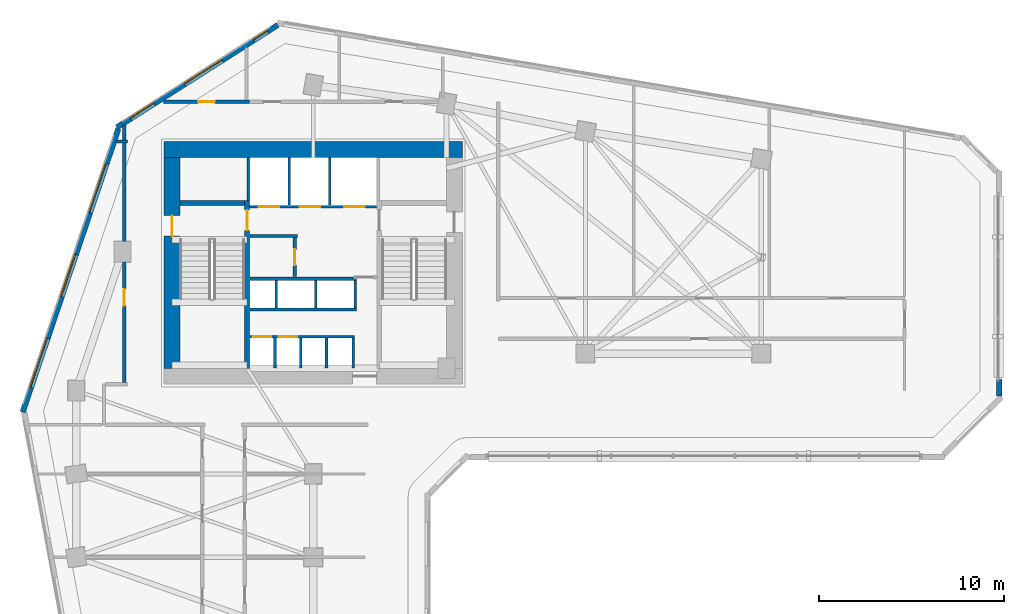
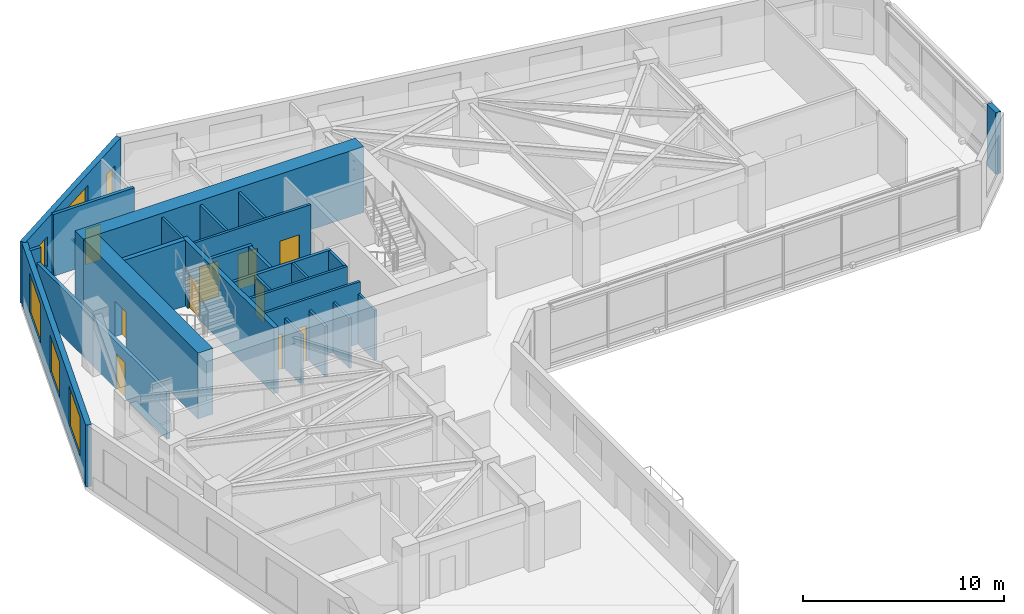
# One storey, part 7 of 12: 26 walls, 10 doors, 6 windows, 16 openings.
"""IFC4 building model written with IfcOpenShell, lengths in metres."""

from ifc_helpers import new_model, si_unit, direction, frame, frame_2d, origin, place, context, subcontext, project, spatial, rectangle, extrude, source, transform, mapped, material, layer, layer_set, type_object, element, fill, save


model = new_model("IFC4")

# Units and contexts
model_context = context("Model", 3, precision=1e-05, world=origin(), true_north=direction((0.0, 1.0)))
body_context = subcontext(model_context, "Body", "Model", "MODEL_VIEW")
ifc_project = project(units=[si_unit("LENGTHUNIT", "METRE"), si_unit("AREAUNIT", "SQUARE_METRE"), si_unit("VOLUMEUNIT", "CUBIC_METRE"), si_unit("PLANEANGLEUNIT", "RADIAN"), si_unit("MASSUNIT", "GRAM", prefix="KILO")], contexts=[model_context])

# Site, building, storey
site_placement = place(None, origin())
site = spatial("IfcSite", under=ifc_project, at=site_placement, CompositionType="ELEMENT")
building_placement = place(site_placement, origin())
building = spatial("IfcBuilding", under=site, at=building_placement, Name="Calvemar Wedge Station Tower", CompositionType="ELEMENT")
storey_placement = place(building_placement, frame((0.0, 0.0, 51.0)))
storey = spatial("IfcBuildingStorey", under=building, at=storey_placement, Name="L12", CompositionType="ELEMENT", Elevation=51.0)

# Wall, opening, door
ifc_material_1 = material(Name="Concrete C50", Category="concrete")
ifc_layer_1 = layer(ifc_material_1, 0.260009765625)
ifc_layer_set_1 = layer_set([ifc_layer_1], Name="Concrete C50")
wall_type_1 = type_object("IfcWallType", Name="SW-CORE-260", PredefinedType="SHEAR", material=ifc_layer_set_1)
wall_1_placement = place(storey_placement, frame((20.22998046875, 34.199951171875, 0.0), z_axis=(0.0, 0.0, 1.0), x_axis=(0.0, 1.0, 0.0)))
wall_1 = element("IfcWall", 1, at=wall_1_placement, inside=storey, type_object=wall_type_1, Name="Storey L12 Core Shear Wall SPINE-W", PredefinedType="SHEAR", context=body_context, shape_type="SweptSolid", body=[
    extrude(rectangle(XDim=9.06005859375, YDim=0.260009765625, at=frame_2d((4.530029296875, 0.0))), origin(), (0.0, 0.0, 1.0), 4.0),
])
shared_shape_1 = source(origin(), body_context, "Body", "SweptSolid", [
    extrude(rectangle(XDim=1.10009765625, YDim=2.14990234375, at=frame_2d((0.550048828125, 1.074951171875))), frame((0.0, 0.14013671875, 0.0), z_axis=(0.0, -1.0, 0.0), x_axis=(1.0, 0.0, 0.0)), (0.0, 0.0, 1.0), 0.280029296875),
])
opening_1_placement = place(wall_1_placement, frame((7.449951171875, 0.0, 0.0)))
opening_1 = element("IfcOpeningElement", 2, at=opening_1_placement, cuts=wall_1, Name="Opening FD-90", PredefinedType="OPENING", context=body_context, shape_type="MappedRepresentation", body=[
    mapped(shared_shape_1, transform((0.0, 0.0, 0.0), scale=1.0)),
])
ifc_material_2 = material(Name="Galvanized fire-rated steel door leaf P-90", Category="steel")
door_type_1 = type_object("IfcDoorType", Name="DR-FD90-1100", OperationType="NOTDEFINED", PredefinedType="DOOR", material=ifc_material_2)
shared_shape_2 = source(origin(), body_context, "Body", "SweptSolid", [
    extrude(rectangle(XDim=1.10009765625, YDim=2.14990234375, at=frame_2d((0.550048828125, 1.074951171875))), frame((0.0, 0.02490234375, 0.0), z_axis=(0.0, -1.0, 0.0), x_axis=(1.0, 0.0, 0.0)), (0.0, 0.0, 1.0), 0.050048828125),
])
door_1_placement = place(opening_1_placement, origin())
door_1 = element("IfcDoor", 3, at=door_1_placement, inside=storey, type_object=door_type_1, Name="L12 FF Lobby to Stair ST-C1 Door", OperationType="SINGLE_SWING_LEFT", OverallHeight=2.14990234375, OverallWidth=1.10009765625, PredefinedType="DOOR", context=body_context, shape_type="MappedRepresentation", body=[
    mapped(shared_shape_2, transform((0.0, 0.0, 0.0), scale=1.0)),
])
fill(opening_1, door_1)

# Walls
wall_2_placement = place(storey_placement, frame((16.60009765625, 43.1298828125, 0.0), z_axis=(0.0, 0.0, 1.0), x_axis=(1.0, 0.0, 0.0)))
element("IfcWall", 4, at=wall_2_placement, inside=storey, type_object=wall_type_1, Name="Storey L12 Core Shear Wall STC1-N", PredefinedType="SHEAR", context=body_context, shape_type="SweptSolid", body=[
    extrude(rectangle(XDim=3.5, YDim=0.260009765625, at=frame_2d((1.75, 0.0))), origin(), (0.0, 0.0, 1.0), 4.0),
])
ifc_material_3 = material(Name="Concrete C80", Category="concrete")
ifc_layer_2 = layer(ifc_material_3, 0.85009765625)
ifc_layer_set_2 = layer_set([ifc_layer_2], Name="Concrete C80")
wall_type_2 = type_object("IfcWallType", Name="SW-CORE-850", PredefinedType="SHEAR", material=ifc_layer_set_2)
wall_3_placement = place(storey_placement, frame((15.75, 46.02490234375, 0.0), z_axis=(0.0, 0.0, 1.0), x_axis=(1.0, 0.0, 0.0)))
element("IfcWall", 5, at=wall_3_placement, inside=storey, type_object=wall_type_2, Name="Storey L12 Core Shear Wall N", PredefinedType="SHEAR", context=body_context, shape_type="SweptSolid", body=[
    extrude(rectangle(XDim=16.10009765625, YDim=0.85009765625, at=frame_2d((8.050048828125, 0.0))), origin(), (0.0, 0.0, 1.0), 4.0),
])

# Wall, opening, door
wall_4_placement = place(storey_placement, frame((16.175048828125, 34.199951171875, 0.0), z_axis=(0.0, 0.0, 1.0), x_axis=(0.0, 1.0, 0.0)))
wall_4 = element("IfcWall", 6, at=wall_4_placement, inside=storey, type_object=wall_type_2, Name="Storey L12 Core Shear Wall W", PredefinedType="SHEAR", context=body_context, shape_type="SweptSolid", body=[
    extrude(rectangle(XDim=11.400146484375, YDim=0.85009765625, at=frame_2d((5.7001953125, 0.0))), origin(), (0.0, 0.0, 1.0), 4.0),
])
shared_shape_3 = source(origin(), body_context, "Body", "SweptSolid", [
    extrude(rectangle(XDim=1.10009765625, YDim=2.14990234375, at=frame_2d((0.550048828125, 1.074951171875))), frame((0.0, 0.43505859375, 0.0), z_axis=(0.0, -1.0, 0.0), x_axis=(1.0, 0.0, 0.0)), (0.0, 0.0, 1.0), 0.8701171875),
])
opening_2_placement = place(wall_4_placement, frame((7.14990234375, 0.0, 0.0)))
opening_2 = element("IfcOpeningElement", 7, at=opening_2_placement, cuts=wall_4, Name="Opening FD-90", PredefinedType="OPENING", context=body_context, shape_type="MappedRepresentation", body=[
    mapped(shared_shape_3, transform((0.0, 0.0, 0.0), scale=1.0)),
])
door_2_placement = place(opening_2_placement, origin())
door_2 = element("IfcDoor", 8, at=door_2_placement, inside=storey, type_object=door_type_1, Name="L12 West Corridor to Exit Stair ST-C1 Door", OperationType="SINGLE_SWING_LEFT", OverallHeight=2.14990234375, OverallWidth=1.10009765625, PredefinedType="DOOR", context=body_context, shape_type="MappedRepresentation", body=[
    mapped(shared_shape_2, transform((0.0, 0.0, 0.0), scale=1.0)),
])
fill(opening_2, door_2)

# Wall
ifc_material_4 = material(Name="Double-stud fire-rated corridor partition")
ifc_layer_3 = layer(ifc_material_4, 0.179931640625)
ifc_layer_set_3 = layer_set([ifc_layer_3], Name="Double-stud fire-rated corridor partition")
wall_type_3 = type_object("IfcWallType", Name="W-CORR-180", PredefinedType="PARTITIONING", material=ifc_layer_set_3)
wall_5_placement = place(storey_placement, frame((22.9599609375, 41.35009765625, 0.0), z_axis=(0.0, 0.0, 1.0), x_axis=(-1.0, 0.0, 0.0)))
element("IfcWall", 9, at=wall_5_placement, inside=storey, type_object=wall_type_3, Name="Storey L12 Interior Partition WL-L12-001", PredefinedType="PARTITIONING", context=body_context, shape_type="SweptSolid", body=[
    extrude(rectangle(XDim=2.580078125, YDim=0.179931640625, at=frame_2d((1.2900390625, 0.0))), origin(), (0.0, 0.0, 1.0), 3.75),
])

# Wall, opening, door
wall_6_placement = place(storey_placement, frame((22.800048828125, 41.256103515625, 0.0), z_axis=(0.0, 0.0, 1.0), x_axis=(0.0, -1.0, 0.0)))
wall_6 = element("IfcWall", 10, at=wall_6_placement, inside=storey, type_object=wall_type_3, Name="Storey L12 Interior Partition WL-L12-002", PredefinedType="PARTITIONING", context=body_context, shape_type="SweptSolid", body=[
    extrude(rectangle(XDim=2.106201171875, YDim=0.179931640625, at=frame_2d((1.05322265625, 0.0))), origin(), (0.0, 0.0, 1.0), 3.75),
])
shared_shape_4 = source(origin(), body_context, "Body", "SweptSolid", [
    extrude(rectangle(XDim=0.85009765625, YDim=2.14990234375, at=frame_2d((0.425048828125, 1.074951171875))), frame((0.0, 0.10009765625, 0.0), z_axis=(0.0, -1.0, 0.0), x_axis=(1.0, 0.0, 0.0)), (0.0, 0.0, 1.0), 0.199951171875),
])
opening_3_placement = place(wall_6_placement, frame((0.6279296875, 0.0, 0.0)))
opening_3 = element("IfcOpeningElement", 11, at=opening_3_placement, cuts=wall_6, Name="Opening FD-60S", PredefinedType="OPENING", context=body_context, shape_type="MappedRepresentation", body=[
    mapped(shared_shape_4, transform((0.0, 0.0, 0.0), scale=1.0)),
])
ifc_material_5 = material(Name="Fire-rated steel and hardwood service door EI 60", Category="steel")
door_type_2 = type_object("IfcDoorType", Name="DR-CORE-FD60-850", OperationType="NOTDEFINED", PredefinedType="DOOR", material=ifc_material_5)
shared_shape_5 = source(origin(), body_context, "Body", "SweptSolid", [
    extrude(rectangle(XDim=0.85009765625, YDim=2.14990234375, at=frame_2d((0.425048828125, 1.074951171875))), frame((0.0, 0.02490234375, 0.0), z_axis=(0.0, -1.0, 0.0), x_axis=(1.0, 0.0, 0.0)), (0.0, 0.0, 1.0), 0.050048828125),
])
door_3_placement = place(opening_3_placement, origin())
door_3 = element("IfcDoor", 12, at=door_3_placement, inside=storey, type_object=door_type_2, Name="L12 Core Electrical Switch Room Door", OperationType="SINGLE_SWING_LEFT", OverallHeight=2.14990234375, OverallWidth=0.85009765625, PredefinedType="DOOR", context=body_context, shape_type="MappedRepresentation", body=[
    mapped(shared_shape_5, transform((0.0, 0.0, 0.0), scale=1.0)),
])
fill(opening_3, door_3)

wall_7_placement = place(storey_placement, frame((13.60009765625, 33.444091796875, 0.0), z_axis=(0.0, 0.0, 1.0), x_axis=(0.0, 1.0, 0.0)))
wall_7 = element("IfcWall", 13, at=wall_7_placement, inside=storey, type_object=wall_type_3, Name="Storey L12 Interior Partition WL-L12-008", PredefinedType="PARTITIONING", context=body_context, shape_type="SweptSolid", body=[
    extrude(rectangle(XDim=13.896240234375, YDim=0.179931640625, at=frame_2d((6.9482421875, 0.0))), origin(), (0.0, 0.0, 1.0), 2.89208984375),
])
shared_shape_6 = source(origin(), body_context, "Body", "SweptSolid", [
    extrude(rectangle(XDim=0.89990234375, YDim=2.14990234375, at=frame_2d((0.449951171875, 1.074951171875))), frame((0.0, 0.10009765625, 0.0), z_axis=(0.0, -1.0, 0.0), x_axis=(1.0, 0.0, 0.0)), (0.0, 0.0, 1.0), 0.199951171875),
])
opening_4_placement = place(wall_7_placement, frame((4.143798828125, 0.0, 0.0)))
opening_4 = element("IfcOpeningElement", 14, at=opening_4_placement, cuts=wall_7, Name="Opening D-01", PredefinedType="OPENING", context=body_context, shape_type="MappedRepresentation", body=[
    mapped(shared_shape_6, transform((0.0, 0.0, 0.0), scale=1.0)),
])
ifc_material_6 = material(Name="Architectural hardwood acoustic swing door", Category="wood")
door_type_3 = type_object("IfcDoorType", Name="DR-INT-900", OperationType="NOTDEFINED", PredefinedType="DOOR", material=ifc_material_6)
shared_shape_7 = source(origin(), body_context, "Body", "SweptSolid", [
    extrude(rectangle(XDim=0.89990234375, YDim=2.14990234375, at=frame_2d((0.449951171875, 1.074951171875))), frame((0.0, 0.02490234375, 0.0), z_axis=(0.0, -1.0, 0.0), x_axis=(1.0, 0.0, 0.0)), (0.0, 0.0, 1.0), 0.050048828125),
])
door_4_placement = place(opening_4_placement, origin())
door_4 = element("IfcDoor", 15, at=door_4_placement, inside=storey, type_object=door_type_3, Name="L12 Co-Working Studio Door", OperationType="SINGLE_SWING_LEFT", OverallHeight=2.14990234375, OverallWidth=0.89990234375, PredefinedType="DOOR", context=body_context, shape_type="MappedRepresentation", body=[
    mapped(shared_shape_7, transform((0.0, 0.0, 0.0), scale=1.0)),
])
fill(opening_4, door_4)

# Wall
wall_8_placement = place(storey_placement, frame((13.760009765625, 46.449951171875, 0.0), z_axis=(0.0, 0.0, 1.0), x_axis=(-1.0, 0.0, 0.0)))
element("IfcWall", 16, at=wall_8_placement, inside=storey, type_object=wall_type_3, Name="Storey L12 Interior Partition WL-L12-009", PredefinedType="PARTITIONING", context=body_context, shape_type="SweptSolid", body=[
    extrude(rectangle(XDim=0.60107421875, YDim=0.179931640625, at=frame_2d((0.300537109375, 0.0))), origin(), (0.0, 0.0, 1.0), 3.75),
])

# Wall, opening, door
wall_9_placement = place(storey_placement, frame((15.709716796875, 48.60009765625, 0.0), z_axis=(0.0, 0.0, 1.0), x_axis=(1.0, 0.0, 0.0)))
wall_9 = element("IfcWall", 17, at=wall_9_placement, inside=storey, type_object=wall_type_3, Name="Storey L12 Interior Partition WL-L12-010", PredefinedType="PARTITIONING", context=body_context, shape_type="SweptSolid", body=[
    extrude(rectangle(XDim=4.650390625, YDim=0.179931640625, at=frame_2d((2.3251953125, 0.0))), origin(), (0.0, 0.0, 1.0), 3.75),
])
opening_5_placement = place(wall_9_placement, frame((1.875, 0.0, 0.0)))
opening_5 = element("IfcOpeningElement", 18, at=opening_5_placement, cuts=wall_9, Name="Opening D-01", PredefinedType="OPENING", context=body_context, shape_type="MappedRepresentation", body=[
    mapped(shared_shape_6, transform((0.0, 0.0, 0.0), scale=1.0)),
])
door_5_placement = place(opening_5_placement, origin())
door_5 = element("IfcDoor", 19, at=door_5_placement, inside=storey, type_object=door_type_3, Name="L12 Male Toilet Door", OperationType="SINGLE_SWING_RIGHT", OverallHeight=2.14990234375, OverallWidth=0.89990234375, PredefinedType="DOOR", context=body_context, shape_type="MappedRepresentation", body=[
    mapped(shared_shape_7, transform((0.0, 0.0, 0.0), scale=1.0)),
])
fill(opening_5, door_5)

# Wall
ifc_material_7 = material(Name="Precast concrete C45", Category="concrete")
ifc_layer_4 = layer(ifc_material_7, 0.300048828125)
ifc_layer_set_4 = layer_set([ifc_layer_4], Name="Precast concrete C45")
wall_type_4 = type_object("IfcWallType", Name="W-EXT-GFRC-300", PredefinedType="SOLIDWALL", material=ifc_layer_set_4)
wall_10_placement = place(storey_placement, frame((60.85009765625, 32.71728515625, 0.0), z_axis=(0.0, 0.0, 1.0), x_axis=(0.0, 1.0, 0.0)))
element("IfcWall", 20, at=wall_10_placement, inside=storey, type_object=wall_type_4, Name="Storey L12 Bronze GFRC Corner Pier 8A", PredefinedType="SOLIDWALL", context=body_context, shape_type="SweptSolid", body=[
    extrude(rectangle(XDim=0.8798828125, YDim=0.300048828125, at=frame_2d((0.43994140625, 0.0))), origin(), (0.0, 0.0, 1.0), 3.75),
])

# Wall, openings, windows
wall_11_placement = place(storey_placement, frame((21.875, 52.742919921875, 0.0), z_axis=(0.0, 0.0, 1.0), x_axis=(-0.843647802826, -0.536896996441, 0.0)))
wall_11 = element("IfcWall", 21, at=wall_11_placement, inside=storey, type_object=wall_type_4, Name="Storey L12 Bronze GFRC Exterior Wall 11", PredefinedType="SOLIDWALL", context=body_context, shape_type="SweptSolid", body=[
    extrude(rectangle(XDim=10.284423828125, YDim=0.300048828125, at=frame_2d((5.14208984375, 0.0))), origin(), (0.0, 0.0, 1.0), 3.75),
])
shared_shape_8 = source(origin(), body_context, "Body", "SweptSolid", [
    extrude(rectangle(XDim=0.89990234375, YDim=1.60009765625, at=frame_2d((0.449951171875, 0.800048828125))), frame((0.0, 0.16015625, 0.0), z_axis=(0.0, -1.0, 0.0), x_axis=(1.0, 0.0, 0.0)), (0.0, 0.0, 1.0), 0.320068359375),
])
opening_6_placement = place(wall_11_placement, frame((0.62890625, 0.0, 0.85009765625)))
opening_6 = element("IfcOpeningElement", 22, at=opening_6_placement, cuts=wall_11, Name="Opening W7", PredefinedType="OPENING", context=body_context, shape_type="MappedRepresentation", body=[
    mapped(shared_shape_8, transform((0.0, 0.0, 0.0), scale=1.0)),
])
shared_shape_9 = source(origin(), body_context, "Body", "SweptSolid", [
    extrude(rectangle(XDim=2.39990234375, YDim=2.199951171875, at=frame_2d((1.199951171875, 1.10009765625))), frame((0.0, 0.16015625, 0.0), z_axis=(0.0, -1.0, 0.0), x_axis=(1.0, 0.0, 0.0)), (0.0, 0.0, 1.0), 0.320068359375),
])
opening_7_placement = place(wall_11_placement, frame((3.5419921875, 0.0, 0.85009765625)))
opening_7 = element("IfcOpeningElement", 23, at=opening_7_placement, cuts=wall_11, Name="Opening W1", PredefinedType="OPENING", context=body_context, shape_type="MappedRepresentation", body=[
    mapped(shared_shape_9, transform((0.0, 0.0, 0.0), scale=1.0)),
])
shared_shape_10 = source(origin(), body_context, "Body", "SweptSolid", [
    extrude(rectangle(XDim=1.5, YDim=1.800048828125, at=frame_2d((0.75, 0.89990234375))), frame((0.0, 0.16015625, 0.0), z_axis=(0.0, -1.0, 0.0), x_axis=(1.0, 0.0, 0.0)), (0.0, 0.0, 1.0), 0.320068359375),
])
opening_8_placement = place(wall_11_placement, frame((7.904052734375, 0.0, 0.85009765625)))
opening_8 = element("IfcOpeningElement", 24, at=opening_8_placement, cuts=wall_11, Name="Opening W3", PredefinedType="OPENING", context=body_context, shape_type="MappedRepresentation", body=[
    mapped(shared_shape_10, transform((0.0, 0.0, 0.0), scale=1.0)),
])
ifc_material_8 = material(Name="Low-E laminated insulated glass", Category="glass")
window_type_1 = type_object("IfcWindowType", Name="WIN-EXT-1", PartitioningType="SINGLE_PANEL", PredefinedType="WINDOW", material=ifc_material_8)
shared_shape_11 = source(origin(), body_context, "Body", "SweptSolid", [
    extrude(rectangle(XDim=2.39990234375, YDim=2.199951171875, at=frame_2d((1.199951171875, 1.10009765625))), frame((0.0, -0.014892578125, 0.0), z_axis=(0.0, -1.0, 0.0), x_axis=(1.0, 0.0, 0.0)), (0.0, 0.0, 1.0), 0.06005859375),
])
window_1_placement = place(opening_7_placement, origin())
window_1 = element("IfcWindow", 25, at=window_1_placement, inside=storey, type_object=window_type_1, Name="Storey L12 Recessed Window 11.2", OverallHeight=2.199951171875, OverallWidth=2.39990234375, PartitioningType="SINGLE_PANEL", PredefinedType="WINDOW", context=body_context, shape_type="MappedRepresentation", body=[
    mapped(shared_shape_11, transform((0.0, 0.0, 0.0), scale=1.0)),
])
fill(opening_7, window_1)
window_type_2 = type_object("IfcWindowType", Name="WIN-EXT-3", PartitioningType="SINGLE_PANEL", PredefinedType="WINDOW", material=ifc_material_8)
shared_shape_12 = source(origin(), body_context, "Body", "SweptSolid", [
    extrude(rectangle(XDim=1.5, YDim=1.800048828125, at=frame_2d((0.75, 0.89990234375))), frame((0.0, -0.014892578125, 0.0), z_axis=(0.0, -1.0, 0.0), x_axis=(1.0, 0.0, 0.0)), (0.0, 0.0, 1.0), 0.06005859375),
])
window_2_placement = place(opening_8_placement, origin())
window_2 = element("IfcWindow", 26, at=window_2_placement, inside=storey, type_object=window_type_2, Name="Storey L12 Recessed Window 11.3", OverallHeight=1.800048828125, OverallWidth=1.5, PartitioningType="SINGLE_PANEL", PredefinedType="WINDOW", context=body_context, shape_type="MappedRepresentation", body=[
    mapped(shared_shape_12, transform((0.0, 0.0, 0.0), scale=1.0)),
])
fill(opening_8, window_2)
window_type_3 = type_object("IfcWindowType", Name="WIN-EXT-7", PartitioningType="SINGLE_PANEL", PredefinedType="WINDOW", material=ifc_material_8)
shared_shape_13 = source(origin(), body_context, "Body", "SweptSolid", [
    extrude(rectangle(XDim=0.89990234375, YDim=1.60009765625, at=frame_2d((0.449951171875, 0.800048828125))), frame((0.0, -0.014892578125, 0.0), z_axis=(0.0, -1.0, 0.0), x_axis=(1.0, 0.0, 0.0)), (0.0, 0.0, 1.0), 0.06005859375),
])
window_3_placement = place(opening_6_placement, origin())
window_3 = element("IfcWindow", 27, at=window_3_placement, inside=storey, type_object=window_type_3, Name="Storey L12 Recessed Window 11.1", OverallHeight=1.60009765625, OverallWidth=0.89990234375, PartitioningType="SINGLE_PANEL", PredefinedType="WINDOW", context=body_context, shape_type="MappedRepresentation", body=[
    mapped(shared_shape_13, transform((0.0, 0.0, 0.0), scale=1.0)),
])
fill(opening_6, window_3)

wall_12_placement = place(storey_placement, frame((13.2685546875, 47.1337890625, 0.0), z_axis=(0.0, 0.0, 1.0), x_axis=(-0.319920423265, -0.947444416722, 0.0)))
wall_12 = element("IfcWall", 28, at=wall_12_placement, inside=storey, type_object=wall_type_4, Name="Storey L12 Bronze GFRC Exterior Wall 12", PredefinedType="SOLIDWALL", context=body_context, shape_type="SweptSolid", body=[
    extrude(rectangle(XDim=16.134765625, YDim=0.300048828125, at=frame_2d((8.0673828125, 0.0))), origin(), (0.0, 0.0, 1.0), 3.75),
])
shared_shape_14 = source(origin(), body_context, "Body", "SweptSolid", [
    extrude(rectangle(XDim=2.800048828125, YDim=2.39990234375, at=frame_2d((1.39990234375, 1.199951171875))), frame((0.0, 0.16015625, 0.0), z_axis=(0.0, -1.0, 0.0), x_axis=(1.0, 0.0, 0.0)), (0.0, 0.0, 1.0), 0.320068359375),
])
opening_9_placement = place(wall_12_placement, frame((1.988037109375, 0.0, 0.85009765625)))
opening_9 = element("IfcOpeningElement", 29, at=opening_9_placement, cuts=wall_12, Name="Opening W6", PredefinedType="OPENING", context=body_context, shape_type="MappedRepresentation", body=[
    mapped(shared_shape_14, transform((0.0, 0.0, 0.0), scale=1.0)),
])
opening_10_placement = place(wall_12_placement, frame((7.158935546875, 0.0, 0.85009765625)))
opening_10 = element("IfcOpeningElement", 30, at=opening_10_placement, cuts=wall_12, Name="Opening W1", PredefinedType="OPENING", context=body_context, shape_type="MappedRepresentation", body=[
    mapped(shared_shape_9, transform((0.0, 0.0, 0.0), scale=1.0)),
])
opening_11_placement = place(wall_12_placement, frame((11.929931640625, 0.0, 0.85009765625)))
opening_11 = element("IfcOpeningElement", 31, at=opening_11_placement, cuts=wall_12, Name="Opening W6", PredefinedType="OPENING", context=body_context, shape_type="MappedRepresentation", body=[
    mapped(shared_shape_14, transform((0.0, 0.0, 0.0), scale=1.0)),
])
window_type_4 = type_object("IfcWindowType", Name="WIN-EXT-6", PartitioningType="SINGLE_PANEL", PredefinedType="WINDOW", material=ifc_material_8)
shared_shape_15 = source(origin(), body_context, "Body", "SweptSolid", [
    extrude(rectangle(XDim=2.800048828125, YDim=2.39990234375, at=frame_2d((1.39990234375, 1.199951171875))), frame((0.0, -0.014892578125, 0.0), z_axis=(0.0, -1.0, 0.0), x_axis=(1.0, 0.0, 0.0)), (0.0, 0.0, 1.0), 0.06005859375),
])
window_4_placement = place(opening_9_placement, origin())
window_4 = element("IfcWindow", 32, at=window_4_placement, inside=storey, type_object=window_type_4, Name="Storey L12 Recessed Window 12.1", OverallHeight=2.39990234375, OverallWidth=2.800048828125, PartitioningType="SINGLE_PANEL", PredefinedType="WINDOW", context=body_context, shape_type="MappedRepresentation", body=[
    mapped(shared_shape_15, transform((0.0, 0.0, 0.0), scale=1.0)),
])
fill(opening_9, window_4)
window_5_placement = place(opening_11_placement, origin())
window_5 = element("IfcWindow", 33, at=window_5_placement, inside=storey, type_object=window_type_4, Name="Storey L12 Recessed Window 12.3", OverallHeight=2.39990234375, OverallWidth=2.800048828125, PartitioningType="SINGLE_PANEL", PredefinedType="WINDOW", context=body_context, shape_type="MappedRepresentation", body=[
    mapped(shared_shape_15, transform((0.0, 0.0, 0.0), scale=1.0)),
])
fill(opening_11, window_5)
window_6_placement = place(opening_10_placement, origin())
window_6 = element("IfcWindow", 34, at=window_6_placement, inside=storey, type_object=window_type_1, Name="Storey L12 Recessed Window 12.2", OverallHeight=2.199951171875, OverallWidth=2.39990234375, PartitioningType="SINGLE_PANEL", PredefinedType="WINDOW", context=body_context, shape_type="MappedRepresentation", body=[
    mapped(shared_shape_11, transform((0.0, 0.0, 0.0), scale=1.0)),
])
fill(opening_10, window_6)

# Wall, openings, doors
ifc_material_9 = material(Name="Reinforced concrete blockwork lift shaft wall", Category="masonry")
ifc_layer_5 = layer(ifc_material_9, 0.139892578125)
ifc_layer_set_5 = layer_set([ifc_layer_5], Name="Reinforced concrete blockwork lift shaft wall")
wall_type_5 = type_object("IfcWallType", Name="W-LIFT-160", PredefinedType="SOLIDWALL", material=ifc_layer_set_5)
wall_13_placement = place(storey_placement, frame((20.3701171875, 42.929931640625, 0.0), z_axis=(0.0, 0.0, 1.0), x_axis=(1.0, 0.0, 0.0)))
wall_13 = element("IfcWall", 35, at=wall_13_placement, inside=storey, type_object=wall_type_5, Name="Storey L12 Firefighting and Service Lift Shaft Front Wall", PredefinedType="SOLIDWALL", context=body_context, shape_type="SweptSolid", body=[
    extrude(rectangle(XDim=6.85986328125, YDim=0.139892578125, at=frame_2d((3.429931640625, 0.0))), origin(), (0.0, 0.0, 1.0), 3.75),
])
shared_shape_16 = source(origin(), body_context, "Body", "SweptSolid", [
    extrude(rectangle(XDim=1.10009765625, YDim=2.14990234375, at=frame_2d((0.550048828125, 1.074951171875))), frame((0.0, 0.080078125, 0.0), z_axis=(0.0, -1.0, 0.0), x_axis=(1.0, 0.0, 0.0)), (0.0, 0.0, 1.0), 0.159912109375),
])
opening_12_placement = place(wall_13_placement, frame((0.5, 0.0, 0.0)))
opening_12 = element("IfcOpeningElement", 36, at=opening_12_placement, cuts=wall_13, Name="Opening LD-FF", PredefinedType="OPENING", context=body_context, shape_type="MappedRepresentation", body=[
    mapped(shared_shape_16, transform((0.0, 0.0, 0.0), scale=1.0)),
])
opening_13_placement = place(wall_13_placement, frame((2.699951171875, 0.0, 0.0)))
opening_13 = element("IfcOpeningElement", 37, at=opening_13_placement, cuts=wall_13, Name="Opening LD-FF", PredefinedType="OPENING", context=body_context, shape_type="MappedRepresentation", body=[
    mapped(shared_shape_16, transform((0.0, 0.0, 0.0), scale=1.0)),
])
opening_14_placement = place(wall_13_placement, frame((5.10009765625, 0.0, 0.0)))
opening_14 = element("IfcOpeningElement", 38, at=opening_14_placement, cuts=wall_13, Name="Opening LD-STN", PredefinedType="OPENING", context=body_context, shape_type="MappedRepresentation", body=[
    mapped(shared_shape_16, transform((0.0, 0.0, 0.0), scale=1.0)),
])
ifc_material_10 = material(Name="Stainless steel firefighting lift sliding landing door", Category="steel")
door_type_4 = type_object("IfcDoorType", Name="DR-LD-FF-1100", OperationType="SLIDING_TO_LEFT", PredefinedType="DOOR", material=ifc_material_10)
shared_shape_17 = source(origin(), body_context, "Body", "SweptSolid", [
    extrude(rectangle(XDim=1.10009765625, YDim=2.14990234375, at=frame_2d((0.550048828125, 1.074951171875))), frame((0.0, 0.02490234375, 0.0), z_axis=(0.0, -1.0, 0.0), x_axis=(1.0, 0.0, 0.0)), (0.0, 0.0, 1.0), 0.050048828125),
])
door_6_placement = place(opening_12_placement, origin())
door_6 = element("IfcDoor", 39, at=door_6_placement, inside=storey, type_object=door_type_4, Name="L12 Lift FF-01 Sliding Landing Door", OperationType="SLIDING_TO_LEFT", OverallHeight=2.14990234375, OverallWidth=1.10009765625, PredefinedType="DOOR", context=body_context, shape_type="MappedRepresentation", body=[
    mapped(shared_shape_17, transform((0.0, 0.0, 0.0), scale=1.0)),
])
fill(opening_12, door_6)
door_7_placement = place(opening_13_placement, origin())
door_7 = element("IfcDoor", 40, at=door_7_placement, inside=storey, type_object=door_type_4, Name="L12 Lift FF-02 Sliding Landing Door", OperationType="SLIDING_TO_RIGHT", OverallHeight=2.14990234375, OverallWidth=1.10009765625, PredefinedType="DOOR", context=body_context, shape_type="MappedRepresentation", body=[
    mapped(shared_shape_17, transform((0.0, 0.0, 0.0), scale=1.0)),
])
fill(opening_13, door_7)
ifc_material_11 = material(Name="Stainless steel transit lift sliding landing door", Category="steel")
door_type_5 = type_object("IfcDoorType", Name="DR-LD-PAX-1100", OperationType="SLIDING_TO_LEFT", PredefinedType="DOOR", material=ifc_material_11)
shared_shape_18 = source(origin(), body_context, "Body", "SweptSolid", [
    extrude(rectangle(XDim=1.10009765625, YDim=2.14990234375, at=frame_2d((0.550048828125, 1.074951171875))), frame((0.0, 0.02490234375, 0.0), z_axis=(0.0, -1.0, 0.0), x_axis=(1.0, 0.0, 0.0)), (0.0, 0.0, 1.0), 0.050048828125),
])
door_8_placement = place(opening_14_placement, origin())
door_8 = element("IfcDoor", 41, at=door_8_placement, inside=storey, type_object=door_type_5, Name="L12 Lift SV-01 Sliding Landing Door", OperationType="SLIDING_TO_LEFT", OverallHeight=2.14990234375, OverallWidth=1.10009765625, PredefinedType="DOOR", context=body_context, shape_type="MappedRepresentation", body=[
    mapped(shared_shape_18, transform((0.0, 0.0, 0.0), scale=1.0)),
])
fill(opening_14, door_8)

# Walls
wall_14_placement = place(storey_placement, frame((20.2900390625, 43.280029296875, 0.0), z_axis=(0.0, 0.0, 1.0), x_axis=(0.0, 1.0, 0.0)))
element("IfcWall", 42, at=wall_14_placement, inside=storey, type_object=wall_type_5, Name="Storey L12 Firefighting Lift Shaft Enclosure Wall W", PredefinedType="SOLIDWALL", context=body_context, shape_type="SweptSolid", body=[
    extrude(rectangle(XDim=2.300048828125, YDim=0.139892578125, at=frame_2d((1.14990234375, 0.0))), origin(), (0.0, 0.0, 1.0), 3.75),
])
for number, where, z_axis, x_axis, name in (
    (43, (22.5, 43.02001953125, 0.0), (0.0, 0.0, 1.0), (0.0, 1.0, 0.0), "Storey L12 Firefighting Lift Shaft Enclosure Wall D1"),
    (44, (24.699951171875, 43.02001953125, 0.0), (0.0, 0.0, 1.0), (0.0, 1.0, 0.0), "Storey L12 Firefighting Lift Shaft Enclosure Wall D2"),
):
    element("IfcWall", number, at=place(storey_placement, frame(where, z_axis=z_axis, x_axis=x_axis)), inside=storey, type_object=wall_type_5, Name=name, PredefinedType="SOLIDWALL", context=body_context, shape_type="SweptSolid", body=[
        extrude(rectangle(XDim=2.56005859375, YDim=0.139892578125, at=frame_2d((1.280029296875, 0.0))), origin(), (0.0, 0.0, 1.0), 3.75),
    ])

# Wall, openings, doors
wall_15_placement = place(storey_placement, frame((20.3798828125, 35.919921875, 0.0), z_axis=(0.0, 0.0, 1.0), x_axis=(1.0, 0.0, 0.0)))
wall_15 = element("IfcWall", 45, at=wall_15_placement, inside=storey, type_object=wall_type_5, Name="Storey L12 South Passenger Lift Bank Front Wall", PredefinedType="SOLIDWALL", context=body_context, shape_type="SweptSolid", body=[
    extrude(rectangle(XDim=5.650146484375, YDim=0.139892578125, at=frame_2d((2.8251953125, 0.0))), origin(), (0.0, 0.0, 1.0), 3.75),
])
shared_shape_19 = source(origin(), body_context, "Body", "SweptSolid", [
    extrude(rectangle(XDim=1.0, YDim=2.14990234375, at=frame_2d((0.5, 1.074951171875))), frame((0.0, 0.080078125, 0.0), z_axis=(0.0, -1.0, 0.0), x_axis=(1.0, 0.0, 0.0)), (0.0, 0.0, 1.0), 0.159912109375),
])
opening_15_placement = place(wall_15_placement, frame((0.159912109375, 0.0, 0.0)))
opening_15 = element("IfcOpeningElement", 46, at=opening_15_placement, cuts=wall_15, Name="Opening LD-PAX", PredefinedType="OPENING", context=body_context, shape_type="MappedRepresentation", body=[
    mapped(shared_shape_19, transform((0.0, 0.0, 0.0), scale=1.0)),
])
opening_16_placement = place(wall_15_placement, frame((1.550048828125, 0.0, 0.0)))
opening_16 = element("IfcOpeningElement", 47, at=opening_16_placement, cuts=wall_15, Name="Opening LD-PAX", PredefinedType="OPENING", context=body_context, shape_type="MappedRepresentation", body=[
    mapped(shared_shape_19, transform((0.0, 0.0, 0.0), scale=1.0)),
])
ifc_material_12 = material(Name="Anodised bronze passenger lift sliding landing door")
door_type_6 = type_object("IfcDoorType", Name="DR-LD-PAX-1000", OperationType="SLIDING_TO_LEFT", PredefinedType="DOOR", material=ifc_material_12)
shared_shape_20 = source(origin(), body_context, "Body", "SweptSolid", [
    extrude(rectangle(XDim=1.0, YDim=2.14990234375, at=frame_2d((0.5, 1.074951171875))), frame((0.0, 0.02490234375, 0.0), z_axis=(0.0, -1.0, 0.0), x_axis=(1.0, 0.0, 0.0)), (0.0, 0.0, 1.0), 0.050048828125),
])
door_9_placement = place(opening_15_placement, origin())
door_9 = element("IfcDoor", 48, at=door_9_placement, inside=storey, type_object=door_type_6, Name="L12 Lift OL-01 Sliding Landing Door", OperationType="SLIDING_TO_LEFT", OverallHeight=2.14990234375, OverallWidth=1.0, PredefinedType="DOOR", context=body_context, shape_type="MappedRepresentation", body=[
    mapped(shared_shape_20, transform((0.0, 0.0, 0.0), scale=1.0)),
])
fill(opening_15, door_9)
door_10_placement = place(opening_16_placement, origin())
door_10 = element("IfcDoor", 49, at=door_10_placement, inside=storey, type_object=door_type_6, Name="L12 Lift OL-02 Sliding Landing Door", OperationType="SLIDING_TO_RIGHT", OverallHeight=2.14990234375, OverallWidth=1.0, PredefinedType="DOOR", context=body_context, shape_type="MappedRepresentation", body=[
    mapped(shared_shape_20, transform((0.0, 0.0, 0.0), scale=1.0)),
])
fill(opening_16, door_10)

# Walls
for number, where, z_axis, x_axis, name in (
    (50, (25.9599609375, 34.219970703125, 0.0), (0.0, 0.0, 1.0), (0.0, 1.0, 0.0), "Storey L12 South Passenger Lift Shaft Wall E"),
    (51, (21.735107421875, 34.219970703125, 0.0), (0.0, 0.0, 1.0), (0.0, 1.0, 0.0), "Storey L12 South Passenger Lift Shaft Wall D1"),
    (52, (23.125, 34.219970703125, 0.0), (0.0, 0.0, 1.0), (0.0, 1.0, 0.0), "Storey L12 South Passenger Lift Shaft Wall D2"),
    (53, (24.514892578125, 34.219970703125, 0.0), (0.0, 0.0, 1.0), (0.0, 1.0, 0.0), "Storey L12 South Passenger Lift Shaft Wall D3"),
):
    element("IfcWall", number, at=place(storey_placement, frame(where, z_axis=z_axis, x_axis=x_axis)), inside=storey, type_object=wall_type_5, Name=name, PredefinedType="SOLIDWALL", context=body_context, shape_type="SweptSolid", body=[
        extrude(rectangle(XDim=1.6201171875, YDim=0.139892578125, at=frame_2d((0.81005859375, 0.0))), origin(), (0.0, 0.0, 1.0), 3.0419921875),
    ])
wall_16_placement = place(storey_placement, frame((20.3798828125, 37.3798828125, 0.0), z_axis=(0.0, 0.0, 1.0), x_axis=(1.0, 0.0, 0.0)))
element("IfcWall", 54, at=wall_16_placement, inside=storey, type_object=wall_type_5, Name="Storey L12 Upper Passenger Lift Bank Front Wall", PredefinedType="SOLIDWALL", context=body_context, shape_type="SweptSolid", body=[
    extrude(rectangle(XDim=5.75, YDim=0.139892578125, at=frame_2d((2.875, 0.0))), origin(), (0.0, 0.0, 1.0), 3.75),
])
for number, where, z_axis, x_axis, name in (
    (55, (26.06005859375, 37.4599609375, 0.0), (0.0, 0.0, 1.0), (0.0, 1.0, 0.0), "Storey L12 Upper Passenger Lift Shaft Wall E"),
    (56, (21.794921875, 37.4599609375, 0.0), (0.0, 0.0, 1.0), (0.0, 1.0, 0.0), "Storey L12 Upper Passenger Lift Shaft Wall D1"),
    (57, (23.93505859375, 37.4599609375, 0.0), (0.0, 0.0, 1.0), (0.0, 1.0, 0.0), "Storey L12 Upper Passenger Lift Shaft Wall D2"),
):
    element("IfcWall", number, at=place(storey_placement, frame(where, z_axis=z_axis, x_axis=x_axis)), inside=storey, type_object=wall_type_5, Name=name, PredefinedType="SOLIDWALL", context=body_context, shape_type="SweptSolid", body=[
        extrude(rectangle(XDim=1.47998046875, YDim=0.139892578125, at=frame_2d((0.739990234375, 0.0))), origin(), (0.0, 0.0, 1.0), 3.75),
    ])
ifc_material_13 = material(Name="Concrete blockwork and fireboard shaft wall", Category="masonry")
ifc_layer_6 = layer(ifc_material_13, 0.199951171875)
ifc_layer_set_6 = layer_set([ifc_layer_6], Name="Concrete blockwork and fireboard shaft wall")
wall_type_6 = type_object("IfcWallType", Name="W-SHAFT-200", PredefinedType="SOLIDWALL", material=ifc_layer_set_6)
wall_17_placement = place(storey_placement, frame((20.3798828125, 39.0400390625, 0.0), z_axis=(0.0, 0.0, 1.0), x_axis=(1.0, 0.0, 0.0)))
element("IfcWall", 58, at=wall_17_placement, inside=storey, type_object=wall_type_6, Name="Storey L12 Upper Passenger Lift Bank Rear Shaft Wall", PredefinedType="SOLIDWALL", context=body_context, shape_type="SweptSolid", body=[
    extrude(rectangle(XDim=5.75, YDim=0.179931640625, at=frame_2d((2.875, 0.0))), origin(), (0.0, 0.0, 1.0), 3.75),
])

save(model, "model.ifc")
